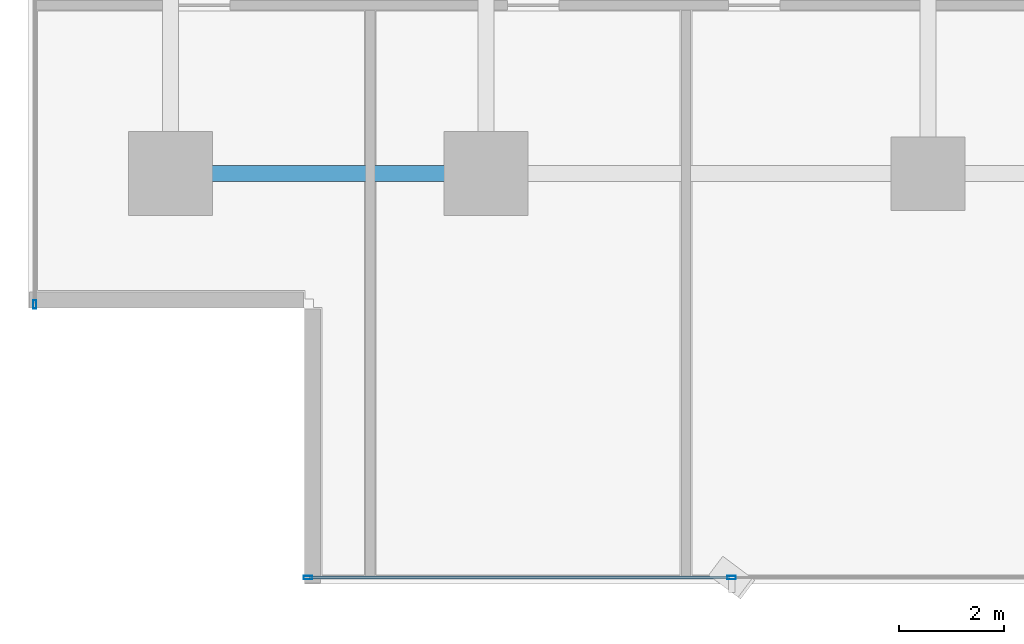
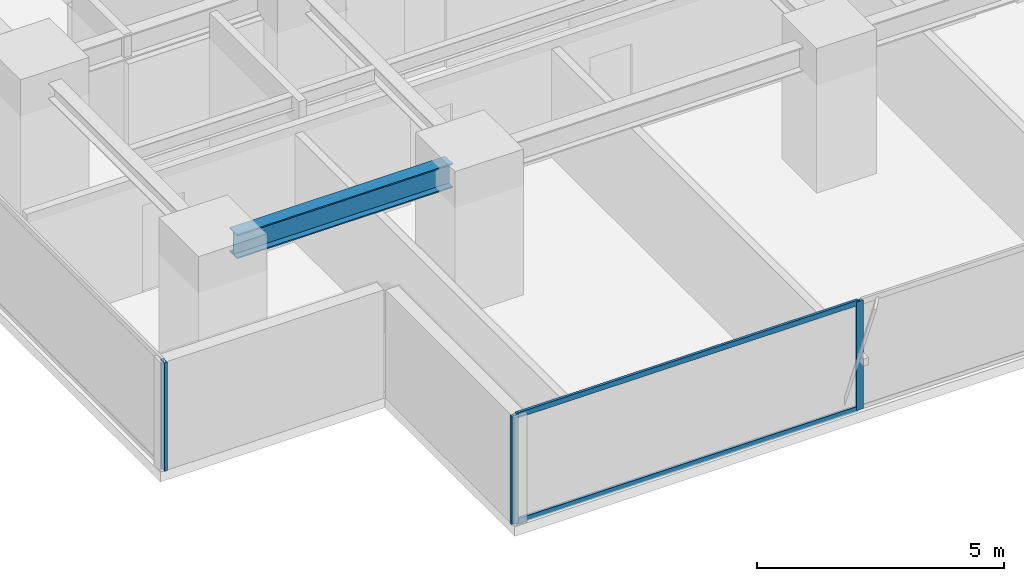
# One storey, part 2 of 36: 5 members, 1 beam, 2 elements without a shape of their own.
"""IFC4 building model written with IfcOpenShell, lengths in metres."""

from ifc_helpers import new_model, si_unit, direction, frame, origin, origin_2d, place, context, subcontext, project, spatial, hollow_rectangle, i_section, extrude, source, transform, mapped, material, layer, layer_set, material_profile, profile_set, type_object, element, aggregate, save


model = new_model("IFC4")

# Units and contexts
model_context = context("Model", 3, precision=1e-05, world=origin(), true_north=direction((0.0, 1.0)))
body_context = subcontext(model_context, "Body", "Model", "MODEL_VIEW")
ifc_project = project(units=[si_unit("LENGTHUNIT", "METRE"), si_unit("AREAUNIT", "SQUARE_METRE"), si_unit("VOLUMEUNIT", "CUBIC_METRE"), si_unit("PLANEANGLEUNIT", "RADIAN"), si_unit("MASSUNIT", "GRAM", prefix="KILO")], contexts=[model_context])

# Site, building, storey
site_placement = place(None, origin())
site = spatial("IfcSite", under=ifc_project, at=site_placement, CompositionType="ELEMENT")
building_placement = place(site_placement, origin())
building = spatial("IfcBuilding", under=site, at=building_placement, Name="Sumidabori Civic Tower", CompositionType="ELEMENT")
storey_placement = place(building_placement, frame((0.0, 0.0, 120.800048828125)))
storey = spatial("IfcBuildingStorey", under=building, at=storey_placement, Name="L31", CompositionType="ELEMENT", Elevation=120.800048828125)

# Beam
ifc_material_1 = material(Name="Steel SN490", Category="steel")
ifc_material_profile_1 = material_profile(ifc_material_1, i_section(OverallWidth=0.300048828125, OverallDepth=0.60009765625, WebThickness=0.015380859375, FlangeThickness=0.030029296875, at=origin_2d()), Name="HE 600 B")
ifc_profile_set_1 = profile_set([ifc_material_profile_1], Name="Steel SN490")
beam_type = type_object("IfcBeamType", Name="BM-GIRD-600", PredefinedType="BEAM", material=ifc_profile_set_1)
shared_shape_1 = source(origin(), body_context, "Body", "SweptSolid", [
    extrude(i_section(OverallWidth=0.300048828125, OverallDepth=0.60009765625, WebThickness=0.015380859375, FlangeThickness=0.030029296875, at=origin_2d()), origin(), (0.0, 0.0, 1.0), 5.0400390625),
])
beam_placement = place(storey_placement, frame((-22.320068359375, -18.0, 3.0), z_axis=(1.0, 0.0, 0.0), x_axis=(0.0, 1.0, 0.0)))
element("IfcBeam", 1, at=beam_placement, inside=storey, type_object=beam_type, Name="Primary Girder L31 GX-01", PredefinedType="BEAM", context=body_context, shape_type="MappedRepresentation", body=[
    mapped(shared_shape_1, transform((0.0, 0.0, 0.0), x_axis=(1.0, 0.0, 0.0), y_axis=(0.0, 1.0, 0.0), z_axis=(0.0, 0.0, 1.0), scale=1.0)),
])

# Curtain wall, members
ifc_material_2 = material(Name="Anodised Bronze Aluminium AW-6063-T6", Category="aluminium")
ifc_layer = layer(ifc_material_2, 0.179931640625, Name="Anodised Bronze Aluminium AW-6063-T6")
ifc_layer_set = layer_set([ifc_layer], Name="Anodised Bronze Aluminium AW-6063-T6")
curtain_wall_type = type_object("IfcCurtainWallType", Name="CW-SYS-3", PredefinedType="NOTDEFINED", material=ifc_layer_set)
curtain_wall_1_placement = place(storey_placement, origin())
curtain_wall_1 = element("IfcCurtainWall", 2, at=curtain_wall_1_placement, inside=storey, type_object=curtain_wall_type, Name="Curtain Wall CW:L31:R01", PredefinedType="NOTDEFINED")
ifc_material_profile_2 = material_profile(ifc_material_2, hollow_rectangle(XDim=0.06005859375, YDim=0.1298828125, WallThickness=0.0048828125, at=origin_2d()), Name="ALU TRANSOM 130x60")
ifc_profile_set_2 = profile_set([ifc_material_profile_2], Name="Anodised Bronze Aluminium AW-6063-T6")
member_type_1 = type_object("IfcMemberType", Name="CW-TRN-130", PredefinedType="USERDEFINED", material=ifc_profile_set_2)
shared_shape_2 = source(origin(), body_context, "Body", "SweptSolid", [
    extrude(hollow_rectangle(XDim=0.06005859375, YDim=0.1298828125, WallThickness=0.0048828125, at=origin_2d()), origin(), (0.0, 0.0, 1.0), 7.990478515625),
])
member_1_placement = place(storey_placement, frame((-20.155029296875, -25.679931640625, 0.030029296875), z_axis=(1.0, 0.0, 0.0), x_axis=(0.0, 1.0, 0.0)))
member_1 = element("IfcMember", 3, at=member_1_placement, type_object=member_type_1, Name="CW-3 transom 1.1", ObjectType="TRANSOM", PredefinedType="USERDEFINED", context=body_context, shape_type="MappedRepresentation", body=[
    mapped(shared_shape_2, transform((0.0, 0.0, 0.0), x_axis=(1.0, 0.0, 0.0), y_axis=(0.0, 1.0, 0.0), z_axis=(0.0, 0.0, 1.0), scale=1.0)),
])
member_2_placement = place(storey_placement, frame((-20.155029296875, -25.679931640625, 2.64990234375), z_axis=(1.0, 0.0, 0.0), x_axis=(0.0, 1.0, 0.0)))
member_2 = element("IfcMember", 4, at=member_2_placement, type_object=member_type_1, Name="CW-3 transom 1.2", ObjectType="TRANSOM", PredefinedType="USERDEFINED", context=body_context, shape_type="MappedRepresentation", body=[
    mapped(shared_shape_2, transform((0.0, 0.0, 0.0), x_axis=(1.0, 0.0, 0.0), y_axis=(0.0, 1.0, 0.0), z_axis=(0.0, 0.0, 1.0), scale=1.0)),
])
ifc_material_profile_3 = material_profile(ifc_material_2, hollow_rectangle(XDim=0.06494140625, YDim=0.159912109375, WallThickness=0.0048828125, at=origin_2d()), Name="ALU MULLION 160x65")
ifc_profile_set_3 = profile_set([ifc_material_profile_3], Name="Anodised Bronze Aluminium AW-6063-T6")
member_type_2 = type_object("IfcMemberType", Name="CW-MUL-160", PredefinedType="MULLION", material=ifc_profile_set_3)
shared_shape_3 = source(origin(), body_context, "Body", "SweptSolid", [
    extrude(hollow_rectangle(XDim=0.06494140625, YDim=0.159912109375, WallThickness=0.0048828125, at=origin_2d()), origin(), (0.0, 0.0, 1.0), 2.679931640625),
])
member_3_placement = place(storey_placement, frame((-20.1875, -25.679931640625, 0.0), z_axis=(0.0, 0.0, 1.0), x_axis=(0.0, 1.0, 0.0)))
member_3 = element("IfcMember", 5, at=member_3_placement, type_object=member_type_2, Name="CW-3 mullion 1", PredefinedType="MULLION", context=body_context, shape_type="MappedRepresentation", body=[
    mapped(shared_shape_3, transform((0.0, 0.0, 0.0), x_axis=(1.0, 0.0, 0.0), y_axis=(0.0, 1.0, 0.0), z_axis=(0.0, 0.0, 1.0), scale=1.0)),
])
member_4_placement = place(storey_placement, frame((-12.132080078125, -25.679931640625, 0.0), z_axis=(0.0, 0.0, 1.0), x_axis=(0.0, 1.0, 0.0)))
member_4 = element("IfcMember", 6, at=member_4_placement, type_object=member_type_2, Name="CW-3 mullion 2", PredefinedType="MULLION", context=body_context, shape_type="MappedRepresentation", body=[
    mapped(shared_shape_3, transform((0.0, 0.0, 0.0), x_axis=(1.0, 0.0, 0.0), y_axis=(0.0, 1.0, 0.0), z_axis=(0.0, 0.0, 1.0), scale=1.0)),
])
aggregate(curtain_wall_1, [member_3, member_4, member_1, member_2])

# Curtain wall, member
curtain_wall_2_placement = place(storey_placement, origin())
curtain_wall_2 = element("IfcCurtainWall", 7, at=curtain_wall_2_placement, inside=storey, type_object=curtain_wall_type, Name="Curtain Wall CW:L31:R10", PredefinedType="NOTDEFINED")
member_5_placement = place(storey_placement, frame((-25.3798828125, -20.487548828125, 0.0), z_axis=(0.0, 0.0, 1.0), x_axis=(1.0, 0.0, 0.0)))
member_5 = element("IfcMember", 8, at=member_5_placement, type_object=member_type_2, Name="CW-3 mullion 6", PredefinedType="MULLION", context=body_context, shape_type="MappedRepresentation", body=[
    mapped(shared_shape_3, transform((0.0, 0.0, 0.0), x_axis=(1.0, 0.0, 0.0), y_axis=(0.0, 1.0, 0.0), z_axis=(0.0, 0.0, 1.0), scale=1.0)),
])
aggregate(curtain_wall_2, [member_5])

save(model, "model.ifc")
